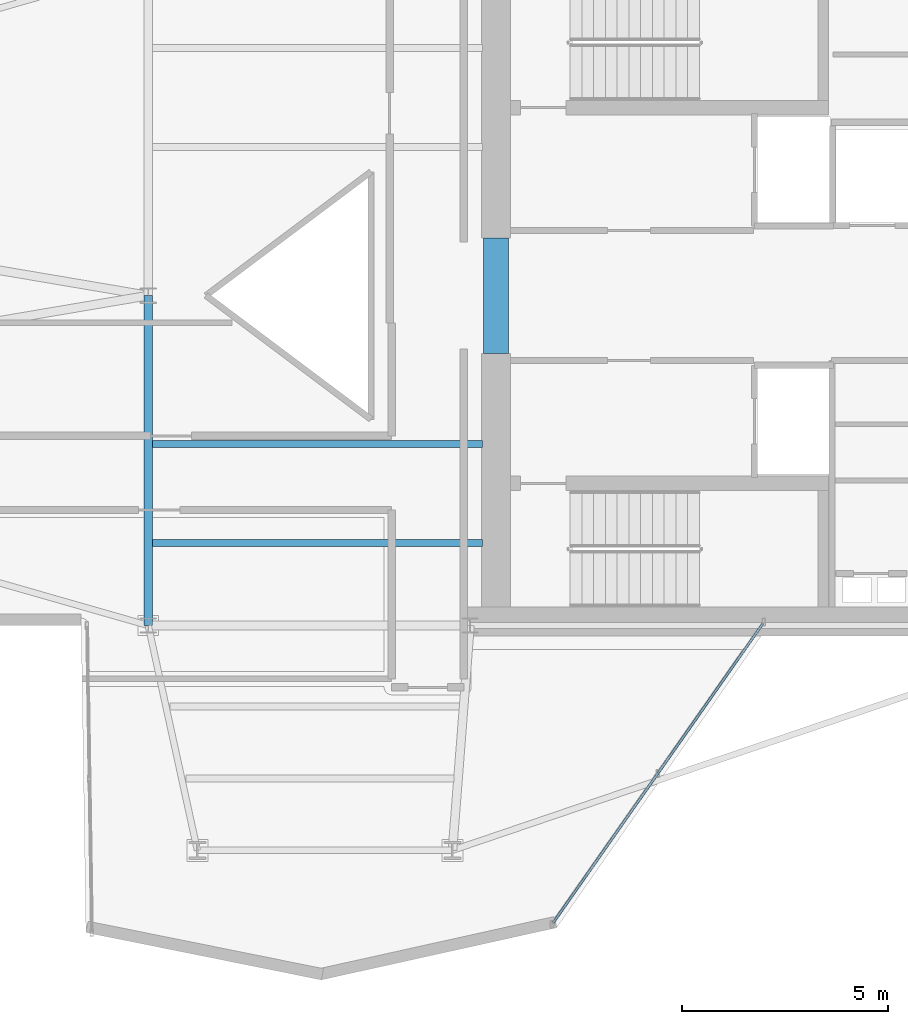
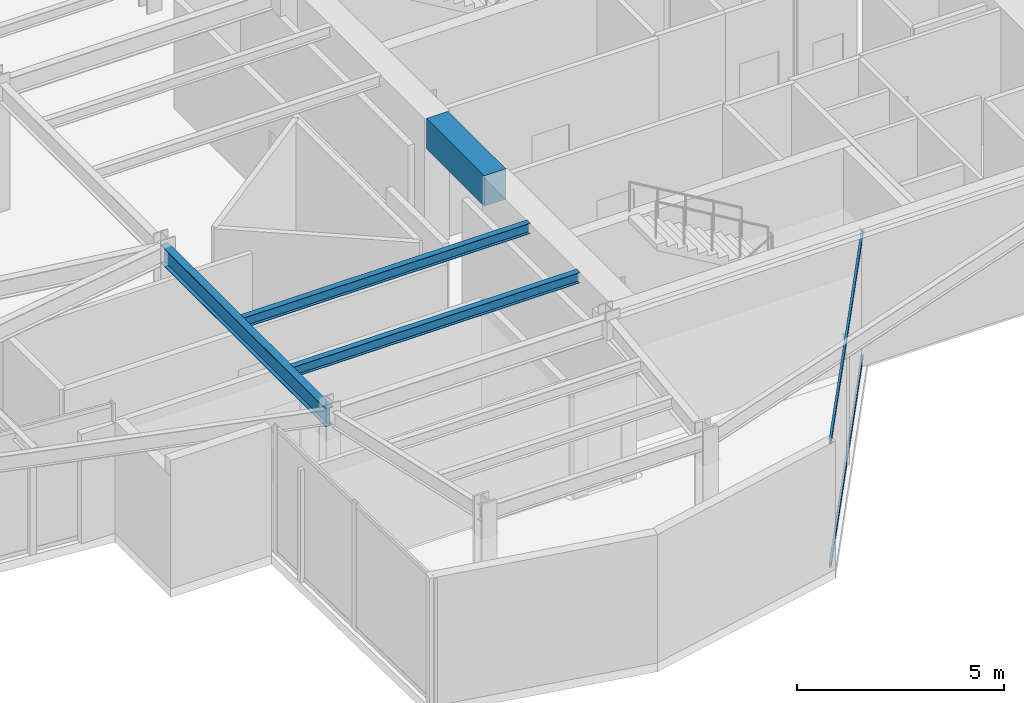
# One storey, part 7 of 24: 4 beams, 2 members, 1 element without a shape of its own.
"""IFC4 building model written with IfcOpenShell, lengths in metres."""

from ifc_helpers import new_model, si_unit, direction, frame, origin, origin_2d, place, context, subcontext, project, spatial, rectangle, hollow_rectangle, i_section, extrude, material, layer, layer_set, material_profile, profile_set, type_object, element, aggregate, save


model = new_model("IFC4")

# Units and contexts
model_context = context("Model", 3, precision=1e-05, world=origin(), true_north=direction((0.0, 1.0)))
body_context = subcontext(model_context, "Body", "Model", "MODEL_VIEW")
ifc_project = project(units=[si_unit("LENGTHUNIT", "METRE"), si_unit("AREAUNIT", "SQUARE_METRE"), si_unit("VOLUMEUNIT", "CUBIC_METRE"), si_unit("PLANEANGLEUNIT", "RADIAN"), si_unit("MASSUNIT", "GRAM", prefix="KILO")], contexts=[model_context])

# Site, building, storey
site_placement = place(None, origin())
site = spatial("IfcSite", under=ifc_project, at=site_placement, CompositionType="ELEMENT")
building_placement = place(site_placement, origin())
building = spatial("IfcBuilding", under=site, at=building_placement, Name="Veymaron Broadcast Tower", CompositionType="ELEMENT")
storey_placement = place(building_placement, frame((0.0, 0.0, 220.199951171875)))
storey = spatial("IfcBuildingStorey", under=building, at=storey_placement, Name="L51", CompositionType="ELEMENT", Elevation=220.199951171875)

# Beams
ifc_material_1 = material(Name="Concrete C60/75", Category="concrete")
ifc_material_profile_1 = material_profile(ifc_material_1, rectangle(XDim=0.60009765625, YDim=0.89990234375, at=origin_2d()), Name="RC600X900")
ifc_profile_set_1 = profile_set([ifc_material_profile_1], Name="Concrete C60/75")
beam_type_1 = type_object("IfcBeamType", Name="BM-CB2", PredefinedType="LINTEL", material=ifc_profile_set_1)
beam_1_placement = place(storey_placement, frame((39.6298828125, 22.60009765625, 3.340087890625), z_axis=(0.0, 1.0, 0.0), x_axis=(-1.0, 0.0, 0.0)))
element("IfcBeam", 1, at=beam_1_placement, inside=storey, type_object=beam_type_1, Name="L51 Core Wall west coupling beam", PredefinedType="LINTEL", context=body_context, shape_type="SweptSolid", body=[
    extrude(rectangle(XDim=0.60009765625, YDim=0.89990234375, at=origin_2d()), origin(), (0.0, 0.0, 1.0), 2.7998046875),
])
ifc_material_2 = material(Name="Structural steel ASTM A992 Gr 50", Category="steel")
ifc_material_profile_2 = material_profile(ifc_material_2, i_section(OverallWidth=0.2099609375, OverallDepth=0.537109375, WebThickness=0.010986328125, FlangeThickness=0.017333984375, at=origin_2d()), Name="W530X101")
ifc_profile_set_2 = profile_set([ifc_material_profile_2], Name="Structural steel ASTM A992 Gr 50")
beam_type_2 = type_object("IfcBeamType", Name="BM-FG3", PredefinedType="BEAM", material=ifc_profile_set_2)
beam_2_placement = place(storey_placement, frame((31.199951171875, 16.0, 3.521484375), z_axis=(0.0, 1.0, 0.0), x_axis=(-1.0, 0.0, 0.0)))
element("IfcBeam", 2, at=beam_2_placement, inside=storey, type_object=beam_type_2, Name="L51 primary structural floor girder", PredefinedType="BEAM", context=body_context, shape_type="SweptSolid", body=[
    extrude(i_section(OverallWidth=0.2099609375, OverallDepth=0.537109375, WebThickness=0.010986328125, FlangeThickness=0.017333984375, at=origin_2d()), origin(), (0.0, 0.0, 1.0), 8.0),
])
ifc_material_profile_3 = material_profile(ifc_material_2, i_section(OverallWidth=0.1650390625, OverallDepth=0.31005859375, WebThickness=0.005859375, FlangeThickness=0.009765625, at=origin_2d()), Name="W310X39")
ifc_profile_set_3 = profile_set([ifc_material_profile_3], Name="Structural steel ASTM A992 Gr 50")
beam_type_3 = type_object("IfcBeamType", Name="BM-JS3", PredefinedType="JOIST", material=ifc_profile_set_3)
for number, where, z_axis, x_axis, name in (
    (3, (31.300048828125, 18.0, 3.635009765625), (1.0, 0.0, 0.0), (0.0, 1.0, 0.0), "L51 Hub secondary joist 1"),
    (4, (31.300048828125, 20.39990234375, 3.635009765625), (1.0, 0.0, 0.0), (0.0, 1.0, 0.0), "L51 Hub secondary joist 2"),
):
    element("IfcBeam", number, at=place(storey_placement, frame(where, z_axis=z_axis, x_axis=x_axis)), inside=storey, type_object=beam_type_3, Name=name, PredefinedType="JOIST", context=body_context, shape_type="SweptSolid", body=[
        extrude(i_section(OverallWidth=0.1650390625, OverallDepth=0.31005859375, WebThickness=0.005859375, FlangeThickness=0.009765625, at=origin_2d()), origin(), (0.0, 0.0, 1.0), 8.0),
    ])

# Curtain wall, members
ifc_material_3 = material(Name="Anodised aluminium AA 6063-T6 and laminated low-E dark glass", Category="aluminium")
ifc_layer = layer(ifc_material_3, 0.179931640625)
ifc_layer_set = layer_set([ifc_layer], Name="Anodised aluminium AA 6063-T6 and laminated low-E dark glass")
curtain_wall_type = type_object("IfcCurtainWallType", Name="CW-SYS-05", PredefinedType="NOTDEFINED", material=ifc_layer_set)
curtain_wall_placement = place(storey_placement, origin())
curtain_wall = element("IfcCurtainWall", 5, at=curtain_wall_placement, inside=storey, type_object=curtain_wall_type, Name="L51 dark-glass curtain wall CW-L51-E20-1", PredefinedType="NOTDEFINED")
ifc_material_4 = material(Name="Anodised aluminium AA 6063-T6", Category="aluminium")
ifc_material_profile_4 = material_profile(ifc_material_4, hollow_rectangle(XDim=0.06005859375, YDim=0.1201171875, WallThickness=0.00390625, at=origin_2d()), Name="AL120X60X4")
ifc_profile_set_4 = profile_set([ifc_material_profile_4], Name="Anodised aluminium AA 6063-T6")
member_type = type_object("IfcMemberType", Name="CW-TRN-02", PredefinedType="USERDEFINED", material=ifc_profile_set_4)
member_1_placement = place(storey_placement, frame((41.016357421875, 8.791259765625, 0.070068359375), z_axis=(0.573913969327, 0.81891559749, 0.0), x_axis=(-0.81891559749, 0.573913969327, 0.0)))
member_1 = element("IfcMember", 6, at=member_1_placement, type_object=member_type, Name="CW-L51-E20-1 transom B", ObjectType="TRANSOM", PredefinedType="USERDEFINED", context=body_context, shape_type="SweptSolid", body=[
    extrude(hollow_rectangle(XDim=0.06005859375, YDim=0.1201171875, WallThickness=0.00390625, at=origin_2d()), origin(), (0.0, 0.0, 1.0), 8.850830078125),
])
member_2_placement = place(storey_placement, frame((41.016357421875, 8.791259765625, 3.719970703125), z_axis=(0.573913969327, 0.81891559749, 0.0), x_axis=(-0.81891559749, 0.573913969327, 0.0)))
member_2 = element("IfcMember", 7, at=member_2_placement, type_object=member_type, Name="CW-L51-E20-1 transom T", ObjectType="TRANSOM", PredefinedType="USERDEFINED", context=body_context, shape_type="SweptSolid", body=[
    extrude(hollow_rectangle(XDim=0.06005859375, YDim=0.1201171875, WallThickness=0.00390625, at=origin_2d()), origin(), (0.0, 0.0, 1.0), 8.850830078125),
])
aggregate(curtain_wall, [member_1, member_2])

save(model, "model.ifc")
